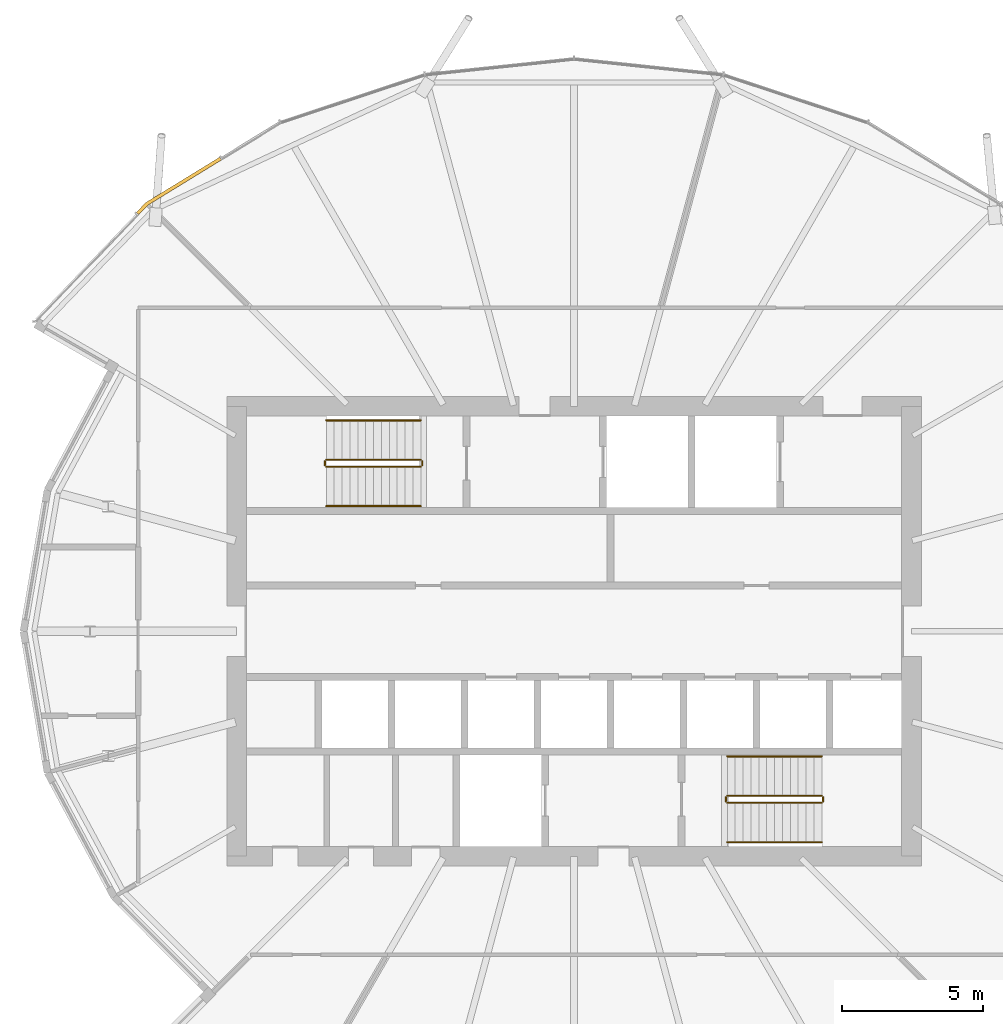
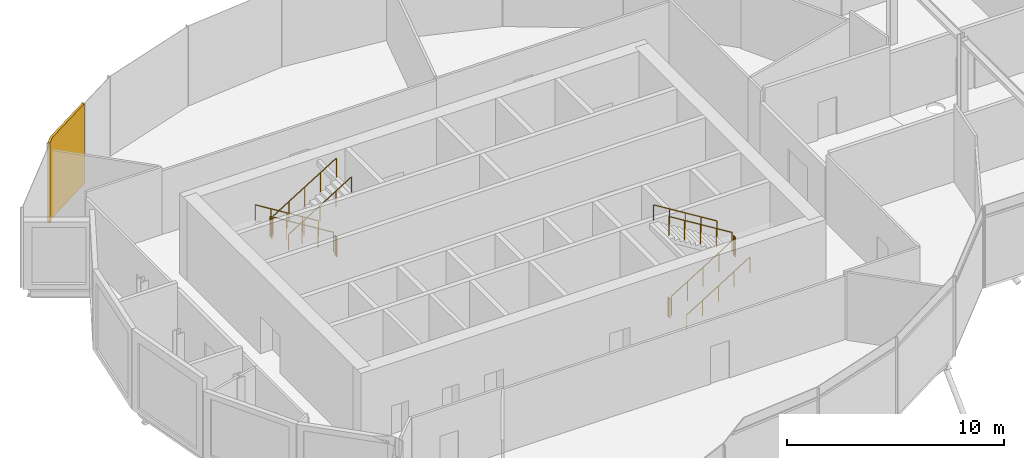
# One storey, part 35 of 36: 12 railings, 1 covering.
"""IFC4 building model written with IfcOpenShell, lengths in metres."""

from ifc_helpers import new_model, si_unit, direction, frame, origin, origin_2d, place, context, subcontext, project, spatial, polyline, circle, outline, extrude, material, layer, layer_set, type_object, element, save


model = new_model("IFC4")

# Units and contexts
model_context = context("Model", 3, precision=1e-05, world=origin(), true_north=direction((0.0, 1.0)))
body_context = subcontext(model_context, "Body", "Model", "MODEL_VIEW")
ifc_project = project(units=[si_unit("LENGTHUNIT", "METRE"), si_unit("AREAUNIT", "SQUARE_METRE"), si_unit("VOLUMEUNIT", "CUBIC_METRE"), si_unit("PLANEANGLEUNIT", "RADIAN"), si_unit("MASSUNIT", "GRAM", prefix="KILO")], contexts=[model_context])

# Site, building, storey
site_placement = place(None, origin())
site = spatial("IfcSite", under=ifc_project, at=site_placement, CompositionType="ELEMENT")
building_placement = place(site_placement, origin())
building = spatial("IfcBuilding", under=site, at=building_placement, Name="Rimbun Link Towers", CompositionType="ELEMENT")
storey_placement = place(building_placement, frame((0.0, 0.0, 154.39990234375)))
storey = spatial("IfcBuildingStorey", under=building, at=storey_placement, Name="L37", CompositionType="ELEMENT", Elevation=154.39990234375)

# Covering
ifc_material_1 = material(Name="Terracotta", Category="masonry")
ifc_layer = layer(ifc_material_1, 0.1201171875)
ifc_layer_set = layer_set([ifc_layer], Name="LINK PIER terracotta cladding 120")
covering_type = type_object("IfcCoveringType", Name="LINK PIER terracotta cladding 120", PredefinedType="CLADDING", material=ifc_layer_set)
covering_placement = place(storey_placement, origin())
element("IfcCovering", 1, at=covering_placement, inside=storey, type_object=covering_type, Name="LINK PIER cladding", PredefinedType="CLADDING", context=body_context, shape_type="SweptSolid", body=[
    extrude(outline(polyline([(-47.2294921875, 14.81494140625), (-46.904296875, 15.154296875), (-44.287841796875, 16.760498046875), (-44.350830078125, 16.86279296875), (-46.980224609375, 15.248291015625), (-47.316162109375, 14.89794921875), (-47.2294921875, 14.81494140625)])), origin(), (0.0, 0.0, 1.0), 4.5),
])

# Railings
ifc_material_2 = material(Name="Stainless steel grade 316", Category="steel")
railing_type_1 = type_object("IfcRailingType", Name="Stair guard", PredefinedType="GUARDRAIL", material=ifc_material_2)
railing_1_placement = place(storey_placement, frame((-37.199951171875, 6.10009765625, 0.173095703125)))
element("IfcRailing", 2, at=railing_1_placement, inside=storey, type_object=railing_type_1, Name="L37 ST1 stair guard 1", PredefinedType="GUARDRAIL", context=body_context, shape_type="SweptSolid", body=[
    extrude(circle(Radius=0.02392578125, at=origin_2d()), frame((0.0, 0.0, 1.076171875), z_axis=(-0.850623216509, 0.0, 0.525775754039), x_axis=(0.0, -1.0, 0.0)), (0.0, 0.0, 1.0), 3.9501953125),
    extrude(circle(Radius=0.02099609375, at=origin_2d()), origin(), (0.0, 0.0, 1.0), 1.052001953125),
    extrude(circle(Radius=0.02099609375, at=origin_2d()), frame((-0.840087890625, 0.0, 0.519287109375)), (0.0, 0.0, 1.0), 1.052001953125),
    extrude(circle(Radius=0.02099609375, at=origin_2d()), frame((-1.68017578125, 0.0, 1.03857421875)), (0.0, 0.0, 1.0), 1.052001953125),
    extrude(circle(Radius=0.02099609375, at=origin_2d()), frame((-2.52001953125, 0.0, 1.5576171875)), (0.0, 0.0, 1.0), 1.052001953125),
    extrude(circle(Radius=0.02099609375, at=origin_2d()), frame((-3.360107421875, 0.0, 2.076904296875)), (0.0, 0.0, 1.0), 1.052001953125),
])
railing_2_placement = place(storey_placement, frame((-40.610107421875, 6.050048828125, 2.25)))
element("IfcRailing", 3, at=railing_2_placement, inside=storey, type_object=railing_type_1, Name="L37 ST1 stair guard 2", PredefinedType="GUARDRAIL", context=body_context, shape_type="SweptSolid", body=[
    extrude(circle(Radius=0.02392578125, at=origin_2d()), frame((0.0, 0.0, 1.076171875), z_axis=(0.0, -1.0, 0.0), x_axis=(1.0, 0.0, 0.0)), (0.0, 0.0, 1.0), 0.150146484375),
    extrude(circle(Radius=0.02099609375, at=origin_2d()), origin(), (0.0, 0.0, 1.0), 1.052001953125),
    extrude(circle(Radius=0.02099609375, at=origin_2d()), frame((0.0, -0.150146484375, 0.0)), (0.0, 0.0, 1.0), 1.052001953125),
])
railing_3_placement = place(storey_placement, frame((-40.56005859375, 5.85009765625, 2.423095703125)))
element("IfcRailing", 4, at=railing_3_placement, inside=storey, type_object=railing_type_1, Name="L37 ST1 stair guard 3", PredefinedType="GUARDRAIL", context=body_context, shape_type="SweptSolid", body=[
    extrude(circle(Radius=0.02392578125, at=origin_2d()), frame((0.0, 0.0, 1.076171875), z_axis=(0.850623216509, 0.0, 0.525775754039), x_axis=(0.0, 1.0, 0.0)), (0.0, 0.0, 1.0), 3.9501953125),
    extrude(circle(Radius=0.02099609375, at=origin_2d()), origin(), (0.0, 0.0, 1.0), 1.052001953125),
    extrude(circle(Radius=0.02099609375, at=origin_2d()), frame((0.840087890625, 0.0, 0.519287109375)), (0.0, 0.0, 1.0), 1.052001953125),
    extrude(circle(Radius=0.02099609375, at=origin_2d()), frame((1.68017578125, 0.0, 1.03857421875)), (0.0, 0.0, 1.0), 1.052001953125),
    extrude(circle(Radius=0.02099609375, at=origin_2d()), frame((2.52001953125, 0.0, 1.5576171875)), (0.0, 0.0, 1.0), 1.052001953125),
    extrude(circle(Radius=0.02099609375, at=origin_2d()), frame((3.360107421875, 0.0, 2.076904296875)), (0.0, 0.0, 1.0), 1.052001953125),
])
railing_4_placement = place(storey_placement, frame((-37.14990234375, 6.050048828125, 0.0)))
element("IfcRailing", 5, at=railing_4_placement, inside=storey, type_object=railing_type_1, Name="L37 ST1 stair guard 4", PredefinedType="GUARDRAIL", context=body_context, shape_type="SweptSolid", body=[
    extrude(circle(Radius=0.02392578125, at=origin_2d()), frame((0.0, 0.0, 1.076171875), z_axis=(0.0, -1.0, 0.0), x_axis=(1.0, 0.0, 0.0)), (0.0, 0.0, 1.0), 0.150146484375),
    extrude(circle(Radius=0.02099609375, at=origin_2d()), origin(), (0.0, 0.0, 1.0), 1.052001953125),
    extrude(circle(Radius=0.02099609375, at=origin_2d()), frame((0.0, -0.150146484375, 0.0)), (0.0, 0.0, 1.0), 1.052001953125),
])
railing_5_placement = place(storey_placement, frame((-26.300048828125, -6.10009765625, 0.173095703125)))
element("IfcRailing", 6, at=railing_5_placement, inside=storey, type_object=railing_type_1, Name="L37 ST2 stair guard 1", PredefinedType="GUARDRAIL", context=body_context, shape_type="SweptSolid", body=[
    extrude(circle(Radius=0.02392578125, at=origin_2d()), frame((0.0, 0.0, 1.076171875), z_axis=(0.850623216509, 0.0, 0.525775754039), x_axis=(0.0, 1.0, 0.0)), (0.0, 0.0, 1.0), 3.9501953125),
    extrude(circle(Radius=0.02099609375, at=origin_2d()), origin(), (0.0, 0.0, 1.0), 1.052001953125),
    extrude(circle(Radius=0.02099609375, at=origin_2d()), frame((0.840087890625, 0.0, 0.519287109375)), (0.0, 0.0, 1.0), 1.052001953125),
    extrude(circle(Radius=0.02099609375, at=origin_2d()), frame((1.68017578125, 0.0, 1.03857421875)), (0.0, 0.0, 1.0), 1.052001953125),
    extrude(circle(Radius=0.02099609375, at=origin_2d()), frame((2.52001953125, 0.0, 1.5576171875)), (0.0, 0.0, 1.0), 1.052001953125),
    extrude(circle(Radius=0.02099609375, at=origin_2d()), frame((3.360107421875, 0.0, 2.076904296875)), (0.0, 0.0, 1.0), 1.052001953125),
])
railing_6_placement = place(storey_placement, frame((-22.889892578125, -6.050048828125, 2.25)))
element("IfcRailing", 7, at=railing_6_placement, inside=storey, type_object=railing_type_1, Name="L37 ST2 stair guard 2", PredefinedType="GUARDRAIL", context=body_context, shape_type="SweptSolid", body=[
    extrude(circle(Radius=0.02392578125, at=origin_2d()), frame((0.0, 0.0, 1.076171875), z_axis=(0.0, 1.0, 0.0), x_axis=(-1.0, 0.0, 0.0)), (0.0, 0.0, 1.0), 0.150146484375),
    extrude(circle(Radius=0.02099609375, at=origin_2d()), origin(), (0.0, 0.0, 1.0), 1.052001953125),
    extrude(circle(Radius=0.02099609375, at=origin_2d()), frame((0.0, 0.150146484375, 0.0)), (0.0, 0.0, 1.0), 1.052001953125),
])
railing_7_placement = place(storey_placement, frame((-22.93994140625, -5.85009765625, 2.423095703125)))
element("IfcRailing", 8, at=railing_7_placement, inside=storey, type_object=railing_type_1, Name="L37 ST2 stair guard 3", PredefinedType="GUARDRAIL", context=body_context, shape_type="SweptSolid", body=[
    extrude(circle(Radius=0.02392578125, at=origin_2d()), frame((0.0, 0.0, 1.076171875), z_axis=(-0.850623216509, 0.0, 0.525775754039), x_axis=(0.0, -1.0, 0.0)), (0.0, 0.0, 1.0), 3.9501953125),
    extrude(circle(Radius=0.02099609375, at=origin_2d()), origin(), (0.0, 0.0, 1.0), 1.052001953125),
    extrude(circle(Radius=0.02099609375, at=origin_2d()), frame((-0.840087890625, 0.0, 0.519287109375)), (0.0, 0.0, 1.0), 1.052001953125),
    extrude(circle(Radius=0.02099609375, at=origin_2d()), frame((-1.68017578125, 0.0, 1.03857421875)), (0.0, 0.0, 1.0), 1.052001953125),
    extrude(circle(Radius=0.02099609375, at=origin_2d()), frame((-2.52001953125, 0.0, 1.5576171875)), (0.0, 0.0, 1.0), 1.052001953125),
    extrude(circle(Radius=0.02099609375, at=origin_2d()), frame((-3.360107421875, 0.0, 2.076904296875)), (0.0, 0.0, 1.0), 1.052001953125),
])
railing_8_placement = place(storey_placement, frame((-26.35009765625, -6.050048828125, 0.0)))
element("IfcRailing", 9, at=railing_8_placement, inside=storey, type_object=railing_type_1, Name="L37 ST2 stair guard 4", PredefinedType="GUARDRAIL", context=body_context, shape_type="SweptSolid", body=[
    extrude(circle(Radius=0.02392578125, at=origin_2d()), frame((0.0, 0.0, 1.076171875), z_axis=(0.0, 1.0, 0.0), x_axis=(-1.0, 0.0, 0.0)), (0.0, 0.0, 1.0), 0.150146484375),
    extrude(circle(Radius=0.02099609375, at=origin_2d()), origin(), (0.0, 0.0, 1.0), 1.052001953125),
    extrude(circle(Radius=0.02099609375, at=origin_2d()), frame((0.0, 0.150146484375, 0.0)), (0.0, 0.0, 1.0), 1.052001953125),
])
ifc_material_3 = material(Name="Stainless steel grade 316", Category="steel")
railing_type_2 = type_object("IfcRailingType", Name="Stair handrail", PredefinedType="HANDRAIL", material=ifc_material_3)
railing_9_placement = place(storey_placement, frame((-37.199951171875, 7.5, 0.173095703125)))
element("IfcRailing", 10, at=railing_9_placement, inside=storey, type_object=railing_type_2, Name="L37 ST1 stair handrail 1", PredefinedType="HANDRAIL", context=body_context, shape_type="SweptSolid", body=[
    extrude(circle(Radius=0.02392578125, at=origin_2d()), frame((0.0, 0.0, 0.8759765625), z_axis=(-0.850623216509, 0.0, 0.525775754039), x_axis=(0.0, -1.0, 0.0)), (0.0, 0.0, 1.0), 3.9501953125),
    extrude(circle(Radius=0.02099609375, at=origin_2d()), origin(), (0.0, 0.0, 1.0), 0.851806640625),
    extrude(circle(Radius=0.02099609375, at=origin_2d()), frame((-0.840087890625, 0.0, 0.519287109375)), (0.0, 0.0, 1.0), 0.851806640625),
    extrude(circle(Radius=0.02099609375, at=origin_2d()), frame((-1.68017578125, 0.0, 1.03857421875)), (0.0, 0.0, 1.0), 0.851806640625),
    extrude(circle(Radius=0.02099609375, at=origin_2d()), frame((-2.52001953125, 0.0, 1.5576171875)), (0.0, 0.0, 1.0), 0.851806640625),
    extrude(circle(Radius=0.02099609375, at=origin_2d()), frame((-3.360107421875, 0.0, 2.076904296875)), (0.0, 0.0, 1.0), 0.851806640625),
])
for number, where, name in (
    (11, (-40.56005859375, 4.449951171875, 2.423095703125), "L37 ST1 stair handrail 2"),
    (12, (-26.300048828125, -7.5, 0.173095703125), "L37 ST2 stair handrail 1"),
):
    element("IfcRailing", number, at=place(storey_placement, frame(where)), inside=storey, type_object=railing_type_2, Name=name, PredefinedType="HANDRAIL", context=body_context, shape_type="SweptSolid", body=[
        extrude(circle(Radius=0.02392578125, at=origin_2d()), frame((0.0, 0.0, 0.8759765625), z_axis=(0.850623216509, 0.0, 0.525775754039), x_axis=(0.0, 1.0, 0.0)), (0.0, 0.0, 1.0), 3.9501953125),
        extrude(circle(Radius=0.02099609375, at=origin_2d()), origin(), (0.0, 0.0, 1.0), 0.851806640625),
        extrude(circle(Radius=0.02099609375, at=origin_2d()), frame((0.840087890625, 0.0, 0.519287109375)), (0.0, 0.0, 1.0), 0.851806640625),
        extrude(circle(Radius=0.02099609375, at=origin_2d()), frame((1.68017578125, 0.0, 1.03857421875)), (0.0, 0.0, 1.0), 0.851806640625),
        extrude(circle(Radius=0.02099609375, at=origin_2d()), frame((2.52001953125, 0.0, 1.5576171875)), (0.0, 0.0, 1.0), 0.851806640625),
        extrude(circle(Radius=0.02099609375, at=origin_2d()), frame((3.360107421875, 0.0, 2.076904296875)), (0.0, 0.0, 1.0), 0.851806640625),
    ])
railing_10_placement = place(storey_placement, frame((-22.93994140625, -4.449951171875, 2.423095703125)))
element("IfcRailing", 13, at=railing_10_placement, inside=storey, type_object=railing_type_2, Name="L37 ST2 stair handrail 2", PredefinedType="HANDRAIL", context=body_context, shape_type="SweptSolid", body=[
    extrude(circle(Radius=0.02392578125, at=origin_2d()), frame((0.0, 0.0, 0.8759765625), z_axis=(-0.850623216509, 0.0, 0.525775754039), x_axis=(0.0, -1.0, 0.0)), (0.0, 0.0, 1.0), 3.9501953125),
    extrude(circle(Radius=0.02099609375, at=origin_2d()), origin(), (0.0, 0.0, 1.0), 0.851806640625),
    extrude(circle(Radius=0.02099609375, at=origin_2d()), frame((-0.840087890625, 0.0, 0.519287109375)), (0.0, 0.0, 1.0), 0.851806640625),
    extrude(circle(Radius=0.02099609375, at=origin_2d()), frame((-1.68017578125, 0.0, 1.03857421875)), (0.0, 0.0, 1.0), 0.851806640625),
    extrude(circle(Radius=0.02099609375, at=origin_2d()), frame((-2.52001953125, 0.0, 1.5576171875)), (0.0, 0.0, 1.0), 0.851806640625),
    extrude(circle(Radius=0.02099609375, at=origin_2d()), frame((-3.360107421875, 0.0, 2.076904296875)), (0.0, 0.0, 1.0), 0.851806640625),
])

save(model, "model.ifc")
